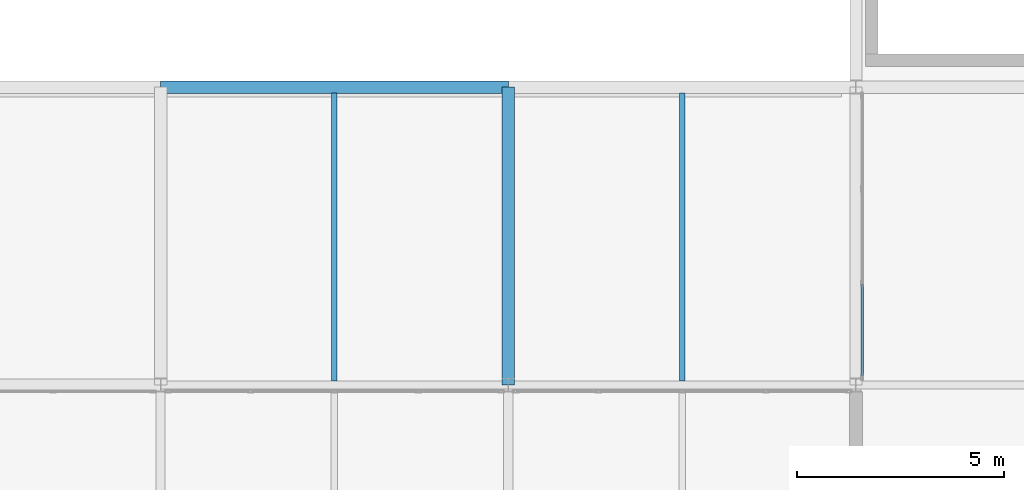
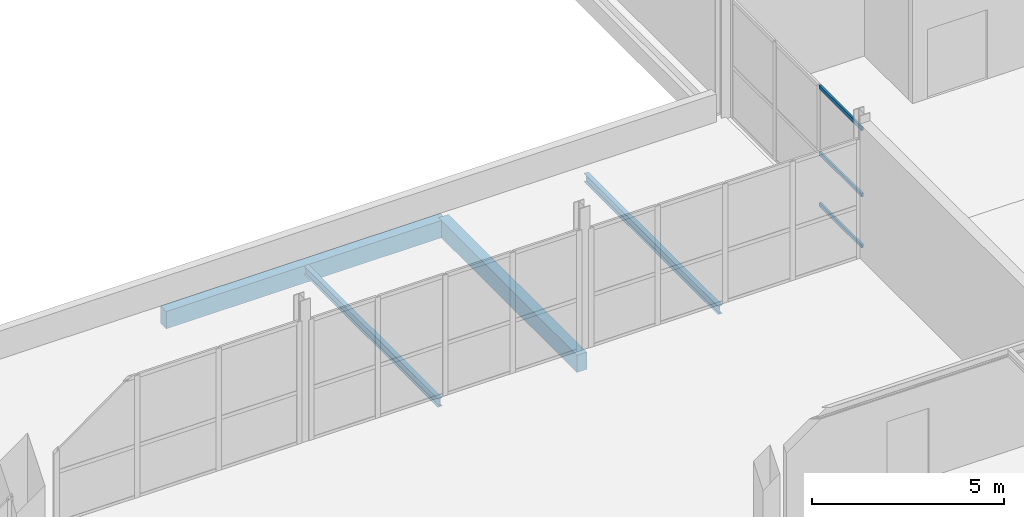
# One storey, part 54 of 103: 4 beams, 3 members, 1 element without a shape of its own.
"""IFC4 building model written with IfcOpenShell, lengths in metres."""

from ifc_helpers import new_model, si_unit, direction, frame, origin, origin_2d, place, context, subcontext, project, spatial, rectangle, hollow_rectangle, i_section, extrude, material, material_profile, profile_set, type_object, element, aggregate, save


model = new_model("IFC4")

# Units and contexts
model_context = context("Model", 3, precision=1e-05, world=origin(), true_north=direction((0.0, 1.0)))
body_context = subcontext(model_context, "Body", "Model", "MODEL_VIEW")
ifc_project = project(units=[si_unit("LENGTHUNIT", "METRE"), si_unit("AREAUNIT", "SQUARE_METRE"), si_unit("VOLUMEUNIT", "CUBIC_METRE"), si_unit("PLANEANGLEUNIT", "RADIAN"), si_unit("MASSUNIT", "GRAM", prefix="KILO")], contexts=[model_context])

# Site, building, storey
site_placement = place(None, origin())
site = spatial("IfcSite", under=ifc_project, at=site_placement, CompositionType="ELEMENT")
building_placement = place(site_placement, origin())
building = spatial("IfcBuilding", under=site, at=building_placement, Name="Veltarok Museum of Natural Sciences", CompositionType="ELEMENT")
storey_placement = place(building_placement, frame((0.0, 0.0, 21.89990234375)))
storey = spatial("IfcBuildingStorey", under=building, at=storey_placement, Name="L04", CompositionType="ELEMENT", Elevation=21.89990234375)

# Curtain wall, members
ifc_material_1 = material(Name="Low-iron triple insulated glass", Category="glass")
curtain_wall_type = type_object("IfcCurtainWallType", Name="Curtain Wall System CW-V5CW-L04-2-686x378 (CW-V5CW L04 686x378cm)", PredefinedType="NOTDEFINED", material=ifc_material_1)
curtain_wall_placement = place(storey_placement, origin())
curtain_wall = element("IfcCurtainWall", 1, at=curtain_wall_placement, inside=storey, type_object=curtain_wall_type, Name="Curtain Wall CW-V5CW-L04-2-686x378 CW-0182", PredefinedType="NOTDEFINED")
ifc_material_2 = material(Name="Thermally broken anodised aluminium", Category="aluminium")
ifc_material_profile_1 = material_profile(ifc_material_2, hollow_rectangle(XDim=0.06005859375, YDim=0.1201171875, WallThickness=0.0048828125, at=origin_2d()), Name="CW TRANSOM 60x120x5")
ifc_profile_set_1 = profile_set([ifc_material_profile_1], Name="Thermally broken anodised aluminium")
member_type = type_object("IfcMemberType", Name="Curtain Wall Horizontal Transom 60x120x5", PredefinedType="USERDEFINED", material=ifc_profile_set_1)
member_1_placement = place(storey_placement, frame((132.550048828125, 19.429931640625, 0.028076171875), z_axis=(0.0, 1.0, 0.0), x_axis=(-1.0, 0.0, 0.0)))
member_1 = element("IfcMember", 2, at=member_1_placement, type_object=member_type, Name="CW-V5CW-L04-2-686x378 transom 1.1", ObjectType="TRANSOM", PredefinedType="USERDEFINED", context=body_context, shape_type="SweptSolid", body=[
    extrude(hollow_rectangle(XDim=0.06005859375, YDim=0.1201171875, WallThickness=0.0048828125, at=origin_2d()), origin(), (0.0, 0.0, 1.0), 2.19677734375),
])
member_2_placement = place(storey_placement, frame((132.550048828125, 19.429931640625, 1.648193359375), z_axis=(0.0, 1.0, 0.0), x_axis=(-1.0, 0.0, 0.0)))
member_2 = element("IfcMember", 3, at=member_2_placement, type_object=member_type, Name="CW-V5CW-L04-2-686x378 transom 1.2", ObjectType="TRANSOM", PredefinedType="USERDEFINED", context=body_context, shape_type="SweptSolid", body=[
    extrude(hollow_rectangle(XDim=0.06005859375, YDim=0.1201171875, WallThickness=0.0048828125, at=origin_2d()), origin(), (0.0, 0.0, 1.0), 2.19677734375),
])
member_3_placement = place(storey_placement, frame((132.550048828125, 19.429931640625, 3.75), z_axis=(0.0, 1.0, 0.0), x_axis=(-1.0, 0.0, 0.0)))
member_3 = element("IfcMember", 4, at=member_3_placement, type_object=member_type, Name="CW-V5CW-L04-2-686x378 transom 1.3", ObjectType="TRANSOM", PredefinedType="USERDEFINED", context=body_context, shape_type="SweptSolid", body=[
    extrude(hollow_rectangle(XDim=0.06005859375, YDim=0.1201171875, WallThickness=0.0048828125, at=origin_2d()), origin(), (0.0, 0.0, 1.0), 2.19677734375),
])
aggregate(curtain_wall, [member_1, member_2, member_3])

# Beams
ifc_material_3 = material(Name="Precast concrete C40/50", Category="concrete")
ifc_material_profile_2 = material_profile(ifc_material_3, rectangle(XDim=0.300048828125, YDim=0.550048828125, at=origin_2d()), Name="RC 300x550")
ifc_profile_set_2 = profile_set([ifc_material_profile_2], Name="Precast concrete C40/50")
beam_type_1 = type_object("IfcBeamType", Name="East Wing Precast Spandrel RC 300x550", PredefinedType="SPANDREL", material=ifc_profile_set_2)
beam_1_placement = place(storey_placement, frame((115.60009765625, 26.39990234375, -0.52490234375), z_axis=(1.0, 0.0, 0.0), x_axis=(0.0, 1.0, 0.0)))
element("IfcBeam", 5, at=beam_1_placement, inside=storey, type_object=beam_type_1, Name="Beam BM-SP02 L04 14-15/D", PredefinedType="SPANDREL", context=body_context, shape_type="SweptSolid", body=[
    extrude(rectangle(XDim=0.300048828125, YDim=0.550048828125, at=origin_2d()), origin(), (0.0, 0.0, 1.0), 8.39990234375),
])
beam_2_placement = place(storey_placement, frame((124.0, 19.199951171875, -0.52490234375), z_axis=(0.0, 1.0, 0.0), x_axis=(-1.0, 0.0, 0.0)))
element("IfcBeam", 6, at=beam_2_placement, inside=storey, type_object=beam_type_1, Name="Beam BM-SP02 L04 15/C-D", PredefinedType="SPANDREL", context=body_context, shape_type="SweptSolid", body=[
    extrude(rectangle(XDim=0.300048828125, YDim=0.550048828125, at=origin_2d()), origin(), (0.0, 0.0, 1.0), 7.199951171875),
])
ifc_material_4 = material(Name="Steel S355J2", Category="steel")
ifc_material_profile_3 = material_profile(ifc_material_4, i_section(OverallWidth=0.135009765625, OverallDepth=0.27001953125, WebThickness=0.006591796875, FlangeThickness=0.01025390625, FilletRadius=0.014892578125, at=origin_2d()), Name="IPE 270")
ifc_profile_set_3 = profile_set([ifc_material_profile_3], Name="Steel S355J2")
beam_type_2 = type_object("IfcBeamType", Name="Short-Bay Composite Joist IPE 270", PredefinedType="JOIST", material=ifc_profile_set_3)
for number, where, z_axis, x_axis, name in (
    (7, (119.800048828125, 19.29296875, -0.385009765625), (0.0, 1.0, 0.0), (-1.0, 0.0, 0.0), "Secondary Joist BM-J04 L04 14-15/C-D.1"),
    (8, (128.199951171875, 19.29296875, -0.385009765625), (0.0, 1.0, 0.0), (-1.0, 0.0, 0.0), "Secondary Joist BM-J04 L04 15-16/C-D.1"),
):
    element("IfcBeam", number, at=place(storey_placement, frame(where, z_axis=z_axis, x_axis=x_axis)), inside=storey, type_object=beam_type_2, Name=name, PredefinedType="JOIST", context=body_context, shape_type="SweptSolid", body=[
        extrude(i_section(OverallWidth=0.135009765625, OverallDepth=0.27001953125, WebThickness=0.006591796875, FlangeThickness=0.01025390625, FilletRadius=0.014892578125, at=origin_2d()), origin(), (0.0, 0.0, 1.0), 6.958984375),
    ])

save(model, "model.ifc")
